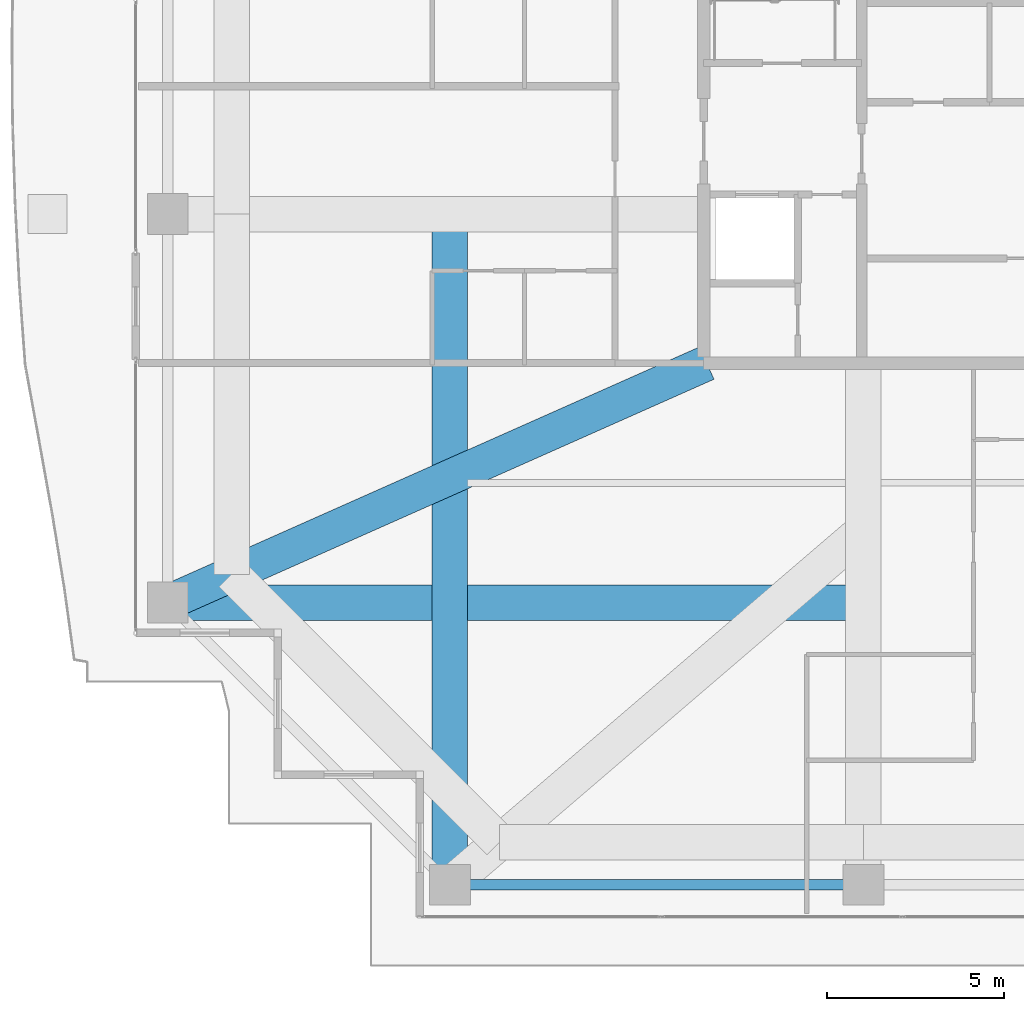
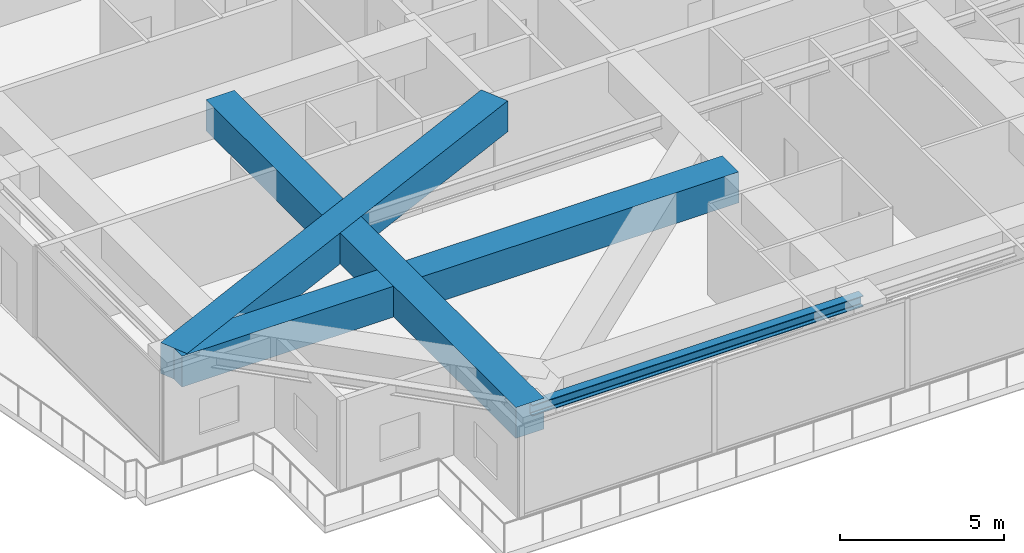
# One storey, part 4 of 39: 4 beams.
"""IFC4 building model written with IfcOpenShell, lengths in metres."""

from ifc_helpers import new_model, si_unit, direction, frame, origin, origin_2d, place, context, subcontext, project, spatial, rectangle, i_section, extrude, source, transform, mapped, material, material_profile, profile_set, type_object, element, save


model = new_model("IFC4")

# Units and contexts
model_context = context("Model", 3, precision=1e-05, world=origin(), true_north=direction((0.0, 1.0)))
body_context = subcontext(model_context, "Body", "Model", "MODEL_VIEW")
ifc_project = project(units=[si_unit("LENGTHUNIT", "METRE"), si_unit("AREAUNIT", "SQUARE_METRE"), si_unit("VOLUMEUNIT", "CUBIC_METRE"), si_unit("PLANEANGLEUNIT", "RADIAN"), si_unit("MASSUNIT", "GRAM", prefix="KILO")], contexts=[model_context])

# Site, building, storey
site_placement = place(None, origin())
site = spatial("IfcSite", under=ifc_project, at=site_placement, CompositionType="ELEMENT")
building_placement = place(site_placement, origin())
building = spatial("IfcBuilding", under=site, at=building_placement, Name="Serunith Strait Residences", CompositionType="ELEMENT")
storey_placement = place(building_placement, frame((0.0, 0.0, 283.60009765625)))
storey = spatial("IfcBuildingStorey", under=building, at=storey_placement, Name="L71", CompositionType="ELEMENT", Elevation=283.60009765625)

# Beams
ifc_material_1 = material(Name="Concrete C80/95", Category="concrete")
ifc_material_profile_1 = material_profile(ifc_material_1, rectangle(XDim=1.0, YDim=1.14990234375, at=origin_2d()), Name="RC 1000x1150")
ifc_profile_set_1 = profile_set([ifc_material_profile_1], Name="Concrete C80/95")
beam_type_1 = type_object("IfcBeamType", Name="BM-XFER-1000x1150", PredefinedType="BEAM", material=ifc_profile_set_1)
shared_shape_1 = source(origin(), body_context, "Body", "SweptSolid", [
    extrude(rectangle(XDim=1.0, YDim=1.14990234375, at=origin_2d()), origin(), (0.0, 0.0, 1.0), 18.89990234375),
])
beam_1_placement = place(storey_placement, frame((16.25, 21.0, 2.8349609375), z_axis=(0.0, -1.0, 0.0), x_axis=(1.0, 0.0, 0.0)))
element("IfcBeam", 1, at=beam_1_placement, inside=storey, type_object=beam_type_1, Name="L71 Orthogonal Corner Girder TC-S1", PredefinedType="BEAM", context=body_context, shape_type="MappedRepresentation", body=[
    mapped(shared_shape_1, transform((0.0, 0.0, 0.0), scale=1.0)),
])
shared_shape_2 = source(origin(), body_context, "Body", "SweptSolid", [
    extrude(rectangle(XDim=1.0, YDim=1.14990234375, at=origin_2d()), origin(), (0.0, 0.0, 1.0), 19.599853515625),
])
beam_2_placement = place(storey_placement, frame((27.89990234375, 10.050048828125, 2.8349609375), z_axis=(-1.0, 0.0, 0.0), x_axis=(0.0, -1.0, 0.0)))
element("IfcBeam", 2, at=beam_2_placement, inside=storey, type_object=beam_type_1, Name="L71 Orthogonal Corner Girder TC-W1", PredefinedType="BEAM", context=body_context, shape_type="MappedRepresentation", body=[
    mapped(shared_shape_2, transform((0.0, 0.0, 0.0), scale=1.0)),
])
ifc_material_2 = material(Name="Steel S355J2", Category="steel")
ifc_material_profile_2 = material_profile(ifc_material_2, i_section(OverallWidth=0.300048828125, OverallDepth=0.39990234375, WebThickness=0.013427734375, FlangeThickness=0.02392578125, FilletRadius=0.027099609375, at=origin_2d()), Name="HEB 400")
ifc_profile_set_2 = profile_set([ifc_material_profile_2], Name="Steel S355J2")
beam_type_2 = type_object("IfcBeamType", Name="BM-HEB400", PredefinedType="BEAM", material=ifc_profile_set_2)
shared_shape_3 = source(origin(), body_context, "Body", "SweptSolid", [
    extrude(i_section(OverallWidth=0.300048828125, OverallDepth=0.39990234375, WebThickness=0.013427734375, FlangeThickness=0.02392578125, FilletRadius=0.027099609375, at=origin_2d()), origin(), (0.0, 0.0, 1.0), 11.64990234375),
])
beam_3_placement = place(storey_placement, frame((16.25, 2.10009765625, 3.206787109375), z_axis=(1.0, 0.0, 0.0), x_axis=(0.0, 1.0, 0.0)))
element("IfcBeam", 3, at=beam_3_placement, inside=storey, type_object=beam_type_2, Name="L71 Perimeter Ring Beam 01", PredefinedType="BEAM", context=body_context, shape_type="MappedRepresentation", body=[
    mapped(shared_shape_3, transform((0.0, 0.0, 0.0), scale=1.0)),
])
shared_shape_4 = source(origin(), body_context, "Body", "SweptSolid", [
    extrude(rectangle(XDim=1.0, YDim=1.14990234375, at=origin_2d()), origin(), (0.0, 0.0, 1.0), 16.619873046875),
])
beam_4_placement = place(storey_placement, frame((8.300048828125, 10.050048828125, 2.8349609375), z_axis=(0.91381154862, 0.406138466053, 0.0), x_axis=(-0.406138466053, 0.91381154862, 0.0)))
element("IfcBeam", 4, at=beam_4_placement, inside=storey, type_object=beam_type_1, Name="L71 Diagonal Corner Transfer Girder TC-W1", PredefinedType="BEAM", context=body_context, shape_type="MappedRepresentation", body=[
    mapped(shared_shape_4, transform((0.0, 0.0, 0.0), scale=1.0)),
])

save(model, "model.ifc")
